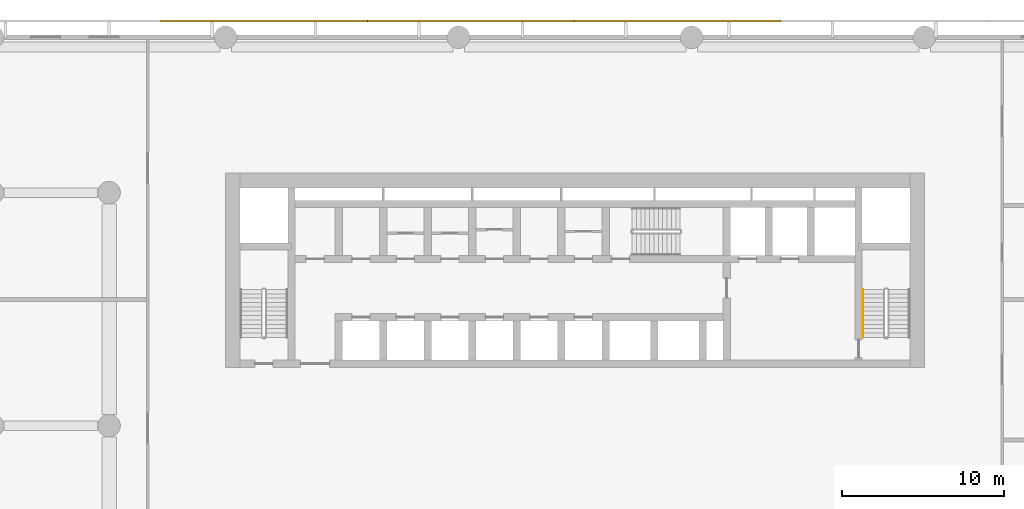
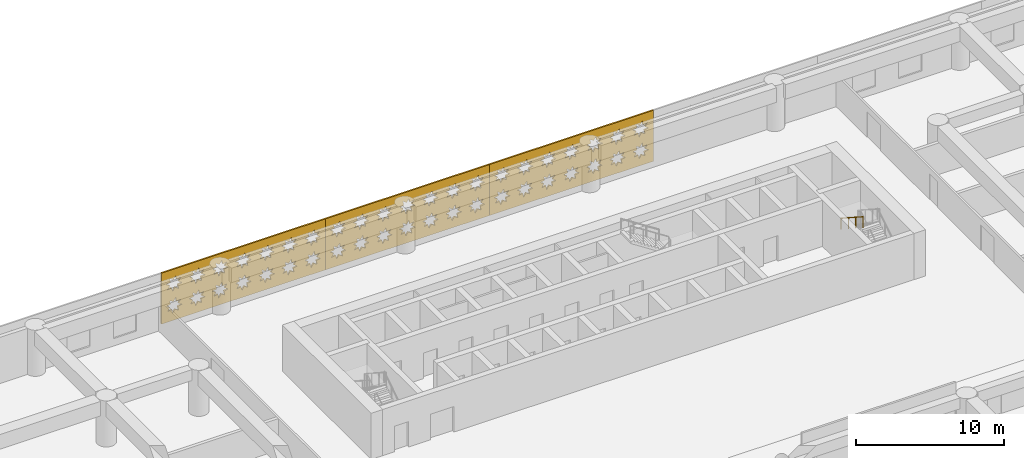
# One storey, part 21 of 23: 3 coverings, 1 railing.
"""IFC4 building model written with IfcOpenShell, lengths in metres."""

from ifc_helpers import new_model, si_unit, direction, frame, origin, origin_2d, place, context, subcontext, project, spatial, polyline, circle, outline, extrude, material, layer, layer_set, type_object, element, save


model = new_model("IFC4")

# Units and contexts
model_context = context("Model", 3, precision=1e-05, world=origin(), true_north=direction((0.0, 1.0)))
body_context = subcontext(model_context, "Body", "Model", "MODEL_VIEW")
ifc_project = project(units=[si_unit("LENGTHUNIT", "METRE"), si_unit("AREAUNIT", "SQUARE_METRE"), si_unit("VOLUMEUNIT", "CUBIC_METRE"), si_unit("PLANEANGLEUNIT", "RADIAN"), si_unit("MASSUNIT", "GRAM", prefix="KILO")], contexts=[model_context])

# Site, building, storey
site_placement = place(None, origin())
site = spatial("IfcSite", under=ifc_project, at=site_placement, CompositionType="ELEMENT")
building_placement = place(site_placement, origin())
building = spatial("IfcBuilding", under=site, at=building_placement, Name="Saffron Iwan Residences", CompositionType="ELEMENT")
storey_placement = place(building_placement, frame((0.0, 0.0, 17.39990234375)))
storey = spatial("IfcBuildingStorey", under=building, at=storey_placement, Name="L03", CompositionType="ELEMENT", Elevation=17.39990234375)

# Coverings
ifc_material_1 = material(Name="Terracotta screen, precast concrete C40/50", Category="masonry")
ifc_layer = layer(ifc_material_1, 0.1201171875)
ifc_layer_set = layer_set([ifc_layer], Name="Terracotta screen, precast concrete C40/50")
covering_type = type_object("IfcCoveringType", Name="PODIUM SCREEN GIRIH", PredefinedType="CLADDING", material=ifc_layer_set)
covering_1_placement = place(storey_placement, frame((63.117431640625, 87.35009765625, -0.39990234375), z_axis=(0.0, 1.0, 0.0), x_axis=(-1.0, 0.0, 0.0)))
element("IfcCovering", 1, at=covering_1_placement, inside=storey, type_object=covering_type, Name="SCREEN girih terracotta L03 F2.3", PredefinedType="CLADDING", context=body_context, shape_type="SweptSolid", body=[
    extrude(outline(polyline([(0.0, 0.0), (12.777587890625, 0.0), (12.777587890625, 4.199951171875), (0.0, 4.199951171875), (0.0, 0.0)]), holes=[polyline([(1.5966796875, 1.321044921875), (1.271484375, 1.388916015625), (1.333251953125, 1.715576171875), (1.05517578125, 1.533447265625), (0.867919921875, 1.80810546875), (0.7998046875, 1.482666015625), (0.47314453125, 1.54443359375), (0.6552734375, 1.266357421875), (0.380615234375, 1.0791015625), (0.7060546875, 1.010986328125), (0.644287109375, 0.6845703125), (0.92236328125, 0.866455078125), (1.109619140625, 0.591796875), (1.177490234375, 0.917236328125), (1.50439453125, 0.85546875), (1.322265625, 1.1337890625), (1.5966796875, 1.321044921875)]), polyline([(1.5966796875, 3.12109375), (1.271484375, 3.18896484375), (1.333251953125, 3.515380859375), (1.05517578125, 3.33349609375), (0.867919921875, 3.608154296875), (0.7998046875, 3.28271484375), (0.47314453125, 3.344482421875), (0.6552734375, 3.06640625), (0.380615234375, 2.87890625), (0.7060546875, 2.81103515625), (0.644287109375, 2.484619140625), (0.92236328125, 2.66650390625), (1.109619140625, 2.391845703125), (1.177490234375, 2.71728515625), (1.50439453125, 2.655517578125), (1.322265625, 2.93359375), (1.5966796875, 3.12109375)]), polyline([(3.396728515625, 1.321044921875), (3.0712890625, 1.388916015625), (3.13330078125, 1.715576171875), (2.85498046875, 1.533447265625), (2.667724609375, 1.80810546875), (2.599853515625, 1.482666015625), (2.273193359375, 1.54443359375), (2.455322265625, 1.266357421875), (2.1806640625, 1.0791015625), (2.506103515625, 1.010986328125), (2.4443359375, 0.6845703125), (2.722412109375, 0.866455078125), (2.90966796875, 0.591796875), (2.9775390625, 0.917236328125), (3.30419921875, 0.85546875), (3.122314453125, 1.1337890625), (3.396728515625, 1.321044921875)]), polyline([(3.396728515625, 3.12109375), (3.0712890625, 3.18896484375), (3.13330078125, 3.515380859375), (2.85498046875, 3.33349609375), (2.667724609375, 3.608154296875), (2.599853515625, 3.28271484375), (2.273193359375, 3.344482421875), (2.455322265625, 3.06640625), (2.1806640625, 2.87890625), (2.506103515625, 2.81103515625), (2.4443359375, 2.484619140625), (2.722412109375, 2.66650390625), (2.90966796875, 2.391845703125), (2.9775390625, 2.71728515625), (3.30419921875, 2.655517578125), (3.122314453125, 2.93359375), (3.396728515625, 3.12109375)]), polyline([(5.19677734375, 1.321044921875), (4.871337890625, 1.388916015625), (4.93310546875, 1.715576171875), (4.655029296875, 1.533447265625), (4.4677734375, 1.80810546875), (4.39990234375, 1.482666015625), (4.0732421875, 1.54443359375), (4.25537109375, 1.266357421875), (3.980712890625, 1.0791015625), (4.30615234375, 1.010986328125), (4.244384765625, 0.6845703125), (4.5224609375, 0.866455078125), (4.709716796875, 0.591796875), (4.777587890625, 0.917236328125), (5.104248046875, 0.85546875), (4.922119140625, 1.1337890625), (5.19677734375, 1.321044921875)]), polyline([(5.19677734375, 3.12109375), (4.871337890625, 3.18896484375), (4.93310546875, 3.515380859375), (4.655029296875, 3.33349609375), (4.4677734375, 3.608154296875), (4.39990234375, 3.28271484375), (4.0732421875, 3.344482421875), (4.25537109375, 3.06640625), (3.980712890625, 2.87890625), (4.30615234375, 2.81103515625), (4.244384765625, 2.484619140625), (4.5224609375, 2.66650390625), (4.709716796875, 2.391845703125), (4.777587890625, 2.71728515625), (5.104248046875, 2.655517578125), (4.922119140625, 2.93359375), (5.19677734375, 3.12109375)]), polyline([(6.996826171875, 1.321044921875), (6.67138671875, 1.388916015625), (6.733154296875, 1.715576171875), (6.455078125, 1.533447265625), (6.267822265625, 1.80810546875), (6.199951171875, 1.482666015625), (5.873291015625, 1.54443359375), (6.055419921875, 1.266357421875), (5.78076171875, 1.0791015625), (6.106201171875, 1.010986328125), (6.044189453125, 0.6845703125), (6.322509765625, 0.866455078125), (6.509765625, 0.591796875), (6.57763671875, 0.917236328125), (6.904296875, 0.85546875), (6.72216796875, 1.1337890625), (6.996826171875, 1.321044921875)]), polyline([(6.996826171875, 3.12109375), (6.67138671875, 3.18896484375), (6.733154296875, 3.515380859375), (6.455078125, 3.33349609375), (6.267822265625, 3.608154296875), (6.199951171875, 3.28271484375), (5.873291015625, 3.344482421875), (6.055419921875, 3.06640625), (5.78076171875, 2.87890625), (6.106201171875, 2.81103515625), (6.044189453125, 2.484619140625), (6.322509765625, 2.66650390625), (6.509765625, 2.391845703125), (6.57763671875, 2.71728515625), (6.904296875, 2.655517578125), (6.72216796875, 2.93359375), (6.996826171875, 3.12109375)]), polyline([(8.796875, 1.321044921875), (8.471435546875, 1.388916015625), (8.533203125, 1.715576171875), (8.255126953125, 1.533447265625), (8.06787109375, 1.80810546875), (8.0, 1.482666015625), (7.673095703125, 1.54443359375), (7.855224609375, 1.266357421875), (7.580810546875, 1.0791015625), (7.906005859375, 1.010986328125), (7.84423828125, 0.6845703125), (8.122314453125, 0.866455078125), (8.309814453125, 0.591796875), (8.377685546875, 0.917236328125), (8.704345703125, 0.85546875), (8.522216796875, 1.1337890625), (8.796875, 1.321044921875)]), polyline([(8.796875, 3.12109375), (8.471435546875, 3.18896484375), (8.533203125, 3.515380859375), (8.255126953125, 3.33349609375), (8.06787109375, 3.608154296875), (8.0, 3.28271484375), (7.673095703125, 3.344482421875), (7.855224609375, 3.06640625), (7.580810546875, 2.87890625), (7.906005859375, 2.81103515625), (7.84423828125, 2.484619140625), (8.122314453125, 2.66650390625), (8.309814453125, 2.391845703125), (8.377685546875, 2.71728515625), (8.704345703125, 2.655517578125), (8.522216796875, 2.93359375), (8.796875, 3.12109375)]), polyline([(10.5966796875, 1.321044921875), (10.271484375, 1.388916015625), (10.333251953125, 1.715576171875), (10.05517578125, 1.533447265625), (9.867919921875, 1.80810546875), (9.7998046875, 1.482666015625), (9.47314453125, 1.54443359375), (9.6552734375, 1.266357421875), (9.380615234375, 1.0791015625), (9.7060546875, 1.010986328125), (9.644287109375, 0.6845703125), (9.92236328125, 0.866455078125), (10.109619140625, 0.591796875), (10.177490234375, 0.917236328125), (10.50439453125, 0.85546875), (10.322265625, 1.1337890625), (10.5966796875, 1.321044921875)]), polyline([(10.5966796875, 3.12109375), (10.271484375, 3.18896484375), (10.333251953125, 3.515380859375), (10.05517578125, 3.33349609375), (9.867919921875, 3.608154296875), (9.7998046875, 3.28271484375), (9.47314453125, 3.344482421875), (9.6552734375, 3.06640625), (9.380615234375, 2.87890625), (9.7060546875, 2.81103515625), (9.644287109375, 2.484619140625), (9.92236328125, 2.66650390625), (10.109619140625, 2.391845703125), (10.177490234375, 2.71728515625), (10.50439453125, 2.655517578125), (10.322265625, 2.93359375), (10.5966796875, 3.12109375)]), polyline([(12.396728515625, 1.321044921875), (12.0712890625, 1.388916015625), (12.13330078125, 1.715576171875), (11.85498046875, 1.533447265625), (11.667724609375, 1.80810546875), (11.599853515625, 1.482666015625), (11.273193359375, 1.54443359375), (11.455322265625, 1.266357421875), (11.1806640625, 1.0791015625), (11.506103515625, 1.010986328125), (11.4443359375, 0.6845703125), (11.722412109375, 0.866455078125), (11.90966796875, 0.591796875), (11.9775390625, 0.917236328125), (12.30419921875, 0.85546875), (12.122314453125, 1.1337890625), (12.396728515625, 1.321044921875)]), polyline([(12.396728515625, 3.12109375), (12.0712890625, 3.18896484375), (12.13330078125, 3.515380859375), (11.85498046875, 3.33349609375), (11.667724609375, 3.608154296875), (11.599853515625, 3.28271484375), (11.273193359375, 3.344482421875), (11.455322265625, 3.06640625), (11.1806640625, 2.87890625), (11.506103515625, 2.81103515625), (11.4443359375, 2.484619140625), (11.722412109375, 2.66650390625), (11.90966796875, 2.391845703125), (11.9775390625, 2.71728515625), (12.30419921875, 2.655517578125), (12.122314453125, 2.93359375), (12.396728515625, 3.12109375)])]), origin(), (0.0, 0.0, 1.0), 0.119873046875),
])
covering_2_placement = place(storey_placement, frame((50.340087890625, 87.35009765625, -0.39990234375), z_axis=(0.0, 1.0, 0.0), x_axis=(-1.0, 0.0, 0.0)))
element("IfcCovering", 2, at=covering_2_placement, inside=storey, type_object=covering_type, Name="SCREEN girih terracotta L03 F2.4", PredefinedType="CLADDING", context=body_context, shape_type="SweptSolid", body=[
    extrude(outline(polyline([(0.0, 0.0), (12.777587890625, 0.0), (12.777587890625, 4.199951171875), (0.0, 4.199951171875), (0.0, 0.0)]), holes=[polyline([(1.5966796875, 1.321044921875), (1.271484375, 1.388916015625), (1.333251953125, 1.715576171875), (1.05517578125, 1.533447265625), (0.867919921875, 1.80810546875), (0.7998046875, 1.482666015625), (0.47314453125, 1.54443359375), (0.6552734375, 1.266357421875), (0.380615234375, 1.0791015625), (0.7060546875, 1.010986328125), (0.644287109375, 0.6845703125), (0.92236328125, 0.866455078125), (1.109619140625, 0.591796875), (1.177490234375, 0.917236328125), (1.50439453125, 0.85546875), (1.322265625, 1.1337890625), (1.5966796875, 1.321044921875)]), polyline([(1.5966796875, 3.12109375), (1.271484375, 3.18896484375), (1.333251953125, 3.515380859375), (1.05517578125, 3.33349609375), (0.867919921875, 3.608154296875), (0.7998046875, 3.28271484375), (0.47314453125, 3.344482421875), (0.6552734375, 3.06640625), (0.380615234375, 2.87890625), (0.7060546875, 2.81103515625), (0.644287109375, 2.484619140625), (0.92236328125, 2.66650390625), (1.109619140625, 2.391845703125), (1.177490234375, 2.71728515625), (1.50439453125, 2.655517578125), (1.322265625, 2.93359375), (1.5966796875, 3.12109375)]), polyline([(3.396728515625, 1.321044921875), (3.0712890625, 1.388916015625), (3.13330078125, 1.715576171875), (2.85498046875, 1.533447265625), (2.667724609375, 1.80810546875), (2.599853515625, 1.482666015625), (2.273193359375, 1.54443359375), (2.455322265625, 1.266357421875), (2.1806640625, 1.0791015625), (2.506103515625, 1.010986328125), (2.4443359375, 0.6845703125), (2.722412109375, 0.866455078125), (2.90966796875, 0.591796875), (2.9775390625, 0.917236328125), (3.30419921875, 0.85546875), (3.122314453125, 1.1337890625), (3.396728515625, 1.321044921875)]), polyline([(3.396728515625, 3.12109375), (3.0712890625, 3.18896484375), (3.13330078125, 3.515380859375), (2.85498046875, 3.33349609375), (2.667724609375, 3.608154296875), (2.599853515625, 3.28271484375), (2.273193359375, 3.344482421875), (2.455322265625, 3.06640625), (2.1806640625, 2.87890625), (2.506103515625, 2.81103515625), (2.4443359375, 2.484619140625), (2.722412109375, 2.66650390625), (2.90966796875, 2.391845703125), (2.9775390625, 2.71728515625), (3.30419921875, 2.655517578125), (3.122314453125, 2.93359375), (3.396728515625, 3.12109375)]), polyline([(5.19677734375, 1.321044921875), (4.871337890625, 1.388916015625), (4.93310546875, 1.715576171875), (4.655029296875, 1.533447265625), (4.4677734375, 1.80810546875), (4.39990234375, 1.482666015625), (4.0732421875, 1.54443359375), (4.25537109375, 1.266357421875), (3.980712890625, 1.0791015625), (4.30615234375, 1.010986328125), (4.244384765625, 0.6845703125), (4.5224609375, 0.866455078125), (4.709716796875, 0.591796875), (4.777587890625, 0.917236328125), (5.104248046875, 0.85546875), (4.922119140625, 1.1337890625), (5.19677734375, 1.321044921875)]), polyline([(5.19677734375, 3.12109375), (4.871337890625, 3.18896484375), (4.93310546875, 3.515380859375), (4.655029296875, 3.33349609375), (4.4677734375, 3.608154296875), (4.39990234375, 3.28271484375), (4.0732421875, 3.344482421875), (4.25537109375, 3.06640625), (3.980712890625, 2.87890625), (4.30615234375, 2.81103515625), (4.244384765625, 2.484619140625), (4.5224609375, 2.66650390625), (4.709716796875, 2.391845703125), (4.777587890625, 2.71728515625), (5.104248046875, 2.655517578125), (4.922119140625, 2.93359375), (5.19677734375, 3.12109375)]), polyline([(6.996826171875, 1.321044921875), (6.67138671875, 1.388916015625), (6.733154296875, 1.715576171875), (6.455078125, 1.533447265625), (6.267822265625, 1.80810546875), (6.199951171875, 1.482666015625), (5.873291015625, 1.54443359375), (6.055419921875, 1.266357421875), (5.78076171875, 1.0791015625), (6.106201171875, 1.010986328125), (6.044189453125, 0.6845703125), (6.322509765625, 0.866455078125), (6.509765625, 0.591796875), (6.57763671875, 0.917236328125), (6.904296875, 0.85546875), (6.72216796875, 1.1337890625), (6.996826171875, 1.321044921875)]), polyline([(6.996826171875, 3.12109375), (6.67138671875, 3.18896484375), (6.733154296875, 3.515380859375), (6.455078125, 3.33349609375), (6.267822265625, 3.608154296875), (6.199951171875, 3.28271484375), (5.873291015625, 3.344482421875), (6.055419921875, 3.06640625), (5.78076171875, 2.87890625), (6.106201171875, 2.81103515625), (6.044189453125, 2.484619140625), (6.322509765625, 2.66650390625), (6.509765625, 2.391845703125), (6.57763671875, 2.71728515625), (6.904296875, 2.655517578125), (6.72216796875, 2.93359375), (6.996826171875, 3.12109375)]), polyline([(8.796875, 1.321044921875), (8.471435546875, 1.388916015625), (8.533203125, 1.715576171875), (8.255126953125, 1.533447265625), (8.06787109375, 1.80810546875), (8.0, 1.482666015625), (7.673095703125, 1.54443359375), (7.855224609375, 1.266357421875), (7.580810546875, 1.0791015625), (7.906005859375, 1.010986328125), (7.84423828125, 0.6845703125), (8.122314453125, 0.866455078125), (8.309814453125, 0.591796875), (8.377685546875, 0.917236328125), (8.704345703125, 0.85546875), (8.522216796875, 1.1337890625), (8.796875, 1.321044921875)]), polyline([(8.796875, 3.12109375), (8.471435546875, 3.18896484375), (8.533203125, 3.515380859375), (8.255126953125, 3.33349609375), (8.06787109375, 3.608154296875), (8.0, 3.28271484375), (7.673095703125, 3.344482421875), (7.855224609375, 3.06640625), (7.580810546875, 2.87890625), (7.906005859375, 2.81103515625), (7.84423828125, 2.484619140625), (8.122314453125, 2.66650390625), (8.309814453125, 2.391845703125), (8.377685546875, 2.71728515625), (8.704345703125, 2.655517578125), (8.522216796875, 2.93359375), (8.796875, 3.12109375)]), polyline([(10.5966796875, 1.321044921875), (10.271484375, 1.388916015625), (10.333251953125, 1.715576171875), (10.05517578125, 1.533447265625), (9.867919921875, 1.80810546875), (9.7998046875, 1.482666015625), (9.47314453125, 1.54443359375), (9.6552734375, 1.266357421875), (9.380615234375, 1.0791015625), (9.7060546875, 1.010986328125), (9.644287109375, 0.6845703125), (9.92236328125, 0.866455078125), (10.109619140625, 0.591796875), (10.177490234375, 0.917236328125), (10.50439453125, 0.85546875), (10.322265625, 1.1337890625), (10.5966796875, 1.321044921875)]), polyline([(10.5966796875, 3.12109375), (10.271484375, 3.18896484375), (10.333251953125, 3.515380859375), (10.05517578125, 3.33349609375), (9.867919921875, 3.608154296875), (9.7998046875, 3.28271484375), (9.47314453125, 3.344482421875), (9.6552734375, 3.06640625), (9.380615234375, 2.87890625), (9.7060546875, 2.81103515625), (9.644287109375, 2.484619140625), (9.92236328125, 2.66650390625), (10.109619140625, 2.391845703125), (10.177490234375, 2.71728515625), (10.50439453125, 2.655517578125), (10.322265625, 2.93359375), (10.5966796875, 3.12109375)]), polyline([(12.396728515625, 1.321044921875), (12.0712890625, 1.388916015625), (12.13330078125, 1.715576171875), (11.85498046875, 1.533447265625), (11.667724609375, 1.80810546875), (11.599853515625, 1.482666015625), (11.273193359375, 1.54443359375), (11.455322265625, 1.266357421875), (11.1806640625, 1.0791015625), (11.506103515625, 1.010986328125), (11.4443359375, 0.6845703125), (11.722412109375, 0.866455078125), (11.90966796875, 0.591796875), (11.9775390625, 0.917236328125), (12.30419921875, 0.85546875), (12.122314453125, 1.1337890625), (12.396728515625, 1.321044921875)]), polyline([(12.396728515625, 3.12109375), (12.0712890625, 3.18896484375), (12.13330078125, 3.515380859375), (11.85498046875, 3.33349609375), (11.667724609375, 3.608154296875), (11.599853515625, 3.28271484375), (11.273193359375, 3.344482421875), (11.455322265625, 3.06640625), (11.1806640625, 2.87890625), (11.506103515625, 2.81103515625), (11.4443359375, 2.484619140625), (11.722412109375, 2.66650390625), (11.90966796875, 2.391845703125), (11.9775390625, 2.71728515625), (12.30419921875, 2.655517578125), (12.122314453125, 2.93359375), (12.396728515625, 3.12109375)])]), origin(), (0.0, 0.0, 1.0), 0.119873046875),
])
covering_3_placement = place(storey_placement, frame((37.5625, 87.35009765625, -0.39990234375), z_axis=(0.0, 1.0, 0.0), x_axis=(-1.0, 0.0, 0.0)))
element("IfcCovering", 3, at=covering_3_placement, inside=storey, type_object=covering_type, Name="SCREEN girih terracotta L03 F2.5", PredefinedType="CLADDING", context=body_context, shape_type="SweptSolid", body=[
    extrude(outline(polyline([(0.0, 0.0), (12.777587890625, 0.0), (12.777587890625, 4.199951171875), (0.0, 4.199951171875), (0.0, 0.0)]), holes=[polyline([(1.5966796875, 1.321044921875), (1.271484375, 1.388916015625), (1.333251953125, 1.715576171875), (1.05517578125, 1.533447265625), (0.867919921875, 1.80810546875), (0.7998046875, 1.482666015625), (0.47314453125, 1.54443359375), (0.6552734375, 1.266357421875), (0.380615234375, 1.0791015625), (0.7060546875, 1.010986328125), (0.644287109375, 0.6845703125), (0.92236328125, 0.866455078125), (1.109619140625, 0.591796875), (1.177490234375, 0.917236328125), (1.50439453125, 0.85546875), (1.322265625, 1.1337890625), (1.5966796875, 1.321044921875)]), polyline([(1.5966796875, 3.12109375), (1.271484375, 3.18896484375), (1.333251953125, 3.515380859375), (1.05517578125, 3.33349609375), (0.867919921875, 3.608154296875), (0.7998046875, 3.28271484375), (0.47314453125, 3.344482421875), (0.6552734375, 3.06640625), (0.380615234375, 2.87890625), (0.7060546875, 2.81103515625), (0.644287109375, 2.484619140625), (0.92236328125, 2.66650390625), (1.109619140625, 2.391845703125), (1.177490234375, 2.71728515625), (1.50439453125, 2.655517578125), (1.322265625, 2.93359375), (1.5966796875, 3.12109375)]), polyline([(3.396728515625, 1.321044921875), (3.0712890625, 1.388916015625), (3.13330078125, 1.715576171875), (2.85498046875, 1.533447265625), (2.667724609375, 1.80810546875), (2.599853515625, 1.482666015625), (2.273193359375, 1.54443359375), (2.455322265625, 1.266357421875), (2.1806640625, 1.0791015625), (2.506103515625, 1.010986328125), (2.4443359375, 0.6845703125), (2.722412109375, 0.866455078125), (2.90966796875, 0.591796875), (2.9775390625, 0.917236328125), (3.30419921875, 0.85546875), (3.122314453125, 1.1337890625), (3.396728515625, 1.321044921875)]), polyline([(3.396728515625, 3.12109375), (3.0712890625, 3.18896484375), (3.13330078125, 3.515380859375), (2.85498046875, 3.33349609375), (2.667724609375, 3.608154296875), (2.599853515625, 3.28271484375), (2.273193359375, 3.344482421875), (2.455322265625, 3.06640625), (2.1806640625, 2.87890625), (2.506103515625, 2.81103515625), (2.4443359375, 2.484619140625), (2.722412109375, 2.66650390625), (2.90966796875, 2.391845703125), (2.9775390625, 2.71728515625), (3.30419921875, 2.655517578125), (3.122314453125, 2.93359375), (3.396728515625, 3.12109375)]), polyline([(5.19677734375, 1.321044921875), (4.871337890625, 1.388916015625), (4.93310546875, 1.715576171875), (4.655029296875, 1.533447265625), (4.4677734375, 1.80810546875), (4.39990234375, 1.482666015625), (4.0732421875, 1.54443359375), (4.25537109375, 1.266357421875), (3.980712890625, 1.0791015625), (4.30615234375, 1.010986328125), (4.244384765625, 0.6845703125), (4.5224609375, 0.866455078125), (4.709716796875, 0.591796875), (4.777587890625, 0.917236328125), (5.104248046875, 0.85546875), (4.922119140625, 1.1337890625), (5.19677734375, 1.321044921875)]), polyline([(5.19677734375, 3.12109375), (4.871337890625, 3.18896484375), (4.93310546875, 3.515380859375), (4.655029296875, 3.33349609375), (4.4677734375, 3.608154296875), (4.39990234375, 3.28271484375), (4.0732421875, 3.344482421875), (4.25537109375, 3.06640625), (3.980712890625, 2.87890625), (4.30615234375, 2.81103515625), (4.244384765625, 2.484619140625), (4.5224609375, 2.66650390625), (4.709716796875, 2.391845703125), (4.777587890625, 2.71728515625), (5.104248046875, 2.655517578125), (4.922119140625, 2.93359375), (5.19677734375, 3.12109375)]), polyline([(6.996826171875, 1.321044921875), (6.67138671875, 1.388916015625), (6.733154296875, 1.715576171875), (6.455078125, 1.533447265625), (6.267822265625, 1.80810546875), (6.199951171875, 1.482666015625), (5.873291015625, 1.54443359375), (6.055419921875, 1.266357421875), (5.78076171875, 1.0791015625), (6.106201171875, 1.010986328125), (6.044189453125, 0.6845703125), (6.322509765625, 0.866455078125), (6.509765625, 0.591796875), (6.57763671875, 0.917236328125), (6.904296875, 0.85546875), (6.72216796875, 1.1337890625), (6.996826171875, 1.321044921875)]), polyline([(6.996826171875, 3.12109375), (6.67138671875, 3.18896484375), (6.733154296875, 3.515380859375), (6.455078125, 3.33349609375), (6.267822265625, 3.608154296875), (6.199951171875, 3.28271484375), (5.873291015625, 3.344482421875), (6.055419921875, 3.06640625), (5.78076171875, 2.87890625), (6.106201171875, 2.81103515625), (6.044189453125, 2.484619140625), (6.322509765625, 2.66650390625), (6.509765625, 2.391845703125), (6.57763671875, 2.71728515625), (6.904296875, 2.655517578125), (6.72216796875, 2.93359375), (6.996826171875, 3.12109375)]), polyline([(8.796875, 1.321044921875), (8.471435546875, 1.388916015625), (8.533203125, 1.715576171875), (8.255126953125, 1.533447265625), (8.06787109375, 1.80810546875), (8.0, 1.482666015625), (7.673095703125, 1.54443359375), (7.855224609375, 1.266357421875), (7.580810546875, 1.0791015625), (7.906005859375, 1.010986328125), (7.84423828125, 0.6845703125), (8.122314453125, 0.866455078125), (8.309814453125, 0.591796875), (8.377685546875, 0.917236328125), (8.704345703125, 0.85546875), (8.522216796875, 1.1337890625), (8.796875, 1.321044921875)]), polyline([(8.796875, 3.12109375), (8.471435546875, 3.18896484375), (8.533203125, 3.515380859375), (8.255126953125, 3.33349609375), (8.06787109375, 3.608154296875), (8.0, 3.28271484375), (7.673095703125, 3.344482421875), (7.855224609375, 3.06640625), (7.580810546875, 2.87890625), (7.906005859375, 2.81103515625), (7.84423828125, 2.484619140625), (8.122314453125, 2.66650390625), (8.309814453125, 2.391845703125), (8.377685546875, 2.71728515625), (8.704345703125, 2.655517578125), (8.522216796875, 2.93359375), (8.796875, 3.12109375)]), polyline([(10.5966796875, 1.321044921875), (10.271484375, 1.388916015625), (10.333251953125, 1.715576171875), (10.05517578125, 1.533447265625), (9.867919921875, 1.80810546875), (9.7998046875, 1.482666015625), (9.47314453125, 1.54443359375), (9.6552734375, 1.266357421875), (9.380615234375, 1.0791015625), (9.7060546875, 1.010986328125), (9.644287109375, 0.6845703125), (9.92236328125, 0.866455078125), (10.109619140625, 0.591796875), (10.177490234375, 0.917236328125), (10.50439453125, 0.85546875), (10.322265625, 1.1337890625), (10.5966796875, 1.321044921875)]), polyline([(10.5966796875, 3.12109375), (10.271484375, 3.18896484375), (10.333251953125, 3.515380859375), (10.05517578125, 3.33349609375), (9.867919921875, 3.608154296875), (9.7998046875, 3.28271484375), (9.47314453125, 3.344482421875), (9.6552734375, 3.06640625), (9.380615234375, 2.87890625), (9.7060546875, 2.81103515625), (9.644287109375, 2.484619140625), (9.92236328125, 2.66650390625), (10.109619140625, 2.391845703125), (10.177490234375, 2.71728515625), (10.50439453125, 2.655517578125), (10.322265625, 2.93359375), (10.5966796875, 3.12109375)]), polyline([(12.396728515625, 1.321044921875), (12.0712890625, 1.388916015625), (12.13330078125, 1.715576171875), (11.85498046875, 1.533447265625), (11.667724609375, 1.80810546875), (11.599853515625, 1.482666015625), (11.273193359375, 1.54443359375), (11.455322265625, 1.266357421875), (11.1806640625, 1.0791015625), (11.506103515625, 1.010986328125), (11.4443359375, 0.6845703125), (11.722412109375, 0.866455078125), (11.90966796875, 0.591796875), (11.9775390625, 0.917236328125), (12.30419921875, 0.85546875), (12.122314453125, 1.1337890625), (12.396728515625, 1.321044921875)]), polyline([(12.396728515625, 3.12109375), (12.0712890625, 3.18896484375), (12.13330078125, 3.515380859375), (11.85498046875, 3.33349609375), (11.667724609375, 3.608154296875), (11.599853515625, 3.28271484375), (11.273193359375, 3.344482421875), (11.455322265625, 3.06640625), (11.1806640625, 2.87890625), (11.506103515625, 2.81103515625), (11.4443359375, 2.484619140625), (11.722412109375, 2.66650390625), (11.90966796875, 2.391845703125), (11.9775390625, 2.71728515625), (12.30419921875, 2.655517578125), (12.122314453125, 2.93359375), (12.396728515625, 3.12109375)])]), origin(), (0.0, 0.0, 1.0), 0.119873046875),
])

# Railing
ifc_material_2 = material(Name="Stainless steel 316", Category="steel")
railing_type = type_object("IfcRailingType", Name="Stair handrail 900", PredefinedType="HANDRAIL", material=ifc_material_2)
railing_placement = place(storey_placement, frame((68.199951171875, 70.820068359375, 2.275146484375)))
element("IfcRailing", 4, at=railing_placement, inside=storey, type_object=railing_type, Name="L03 ST-E stair handrail 2", PredefinedType="HANDRAIL", context=body_context, shape_type="SweptSolid", body=[
    extrude(circle(Radius=0.02392578125, at=origin_2d()), frame((0.0, 0.0, 0.8759765625), z_axis=(0.0, -0.83914424107, 0.543908947048), x_axis=(1.0, 0.0, 0.0)), (0.0, 0.0, 1.0), 3.539306640625),
    extrude(circle(Radius=0.02099609375, at=origin_2d()), origin(), (0.0, 0.0, 1.0), 0.851806640625),
    extrude(circle(Radius=0.02099609375, at=origin_2d()), frame((0.0, -0.989990234375, 0.6416015625)), (0.0, 0.0, 1.0), 0.851806640625),
    extrude(circle(Radius=0.02099609375, at=origin_2d()), frame((0.0, -1.97998046875, 1.283447265625)), (0.0, 0.0, 1.0), 0.851806640625),
    extrude(circle(Radius=0.02099609375, at=origin_2d()), frame((0.0, -2.969970703125, 1.925048828125)), (0.0, 0.0, 1.0), 0.851806640625),
])

save(model, "model.ifc")
